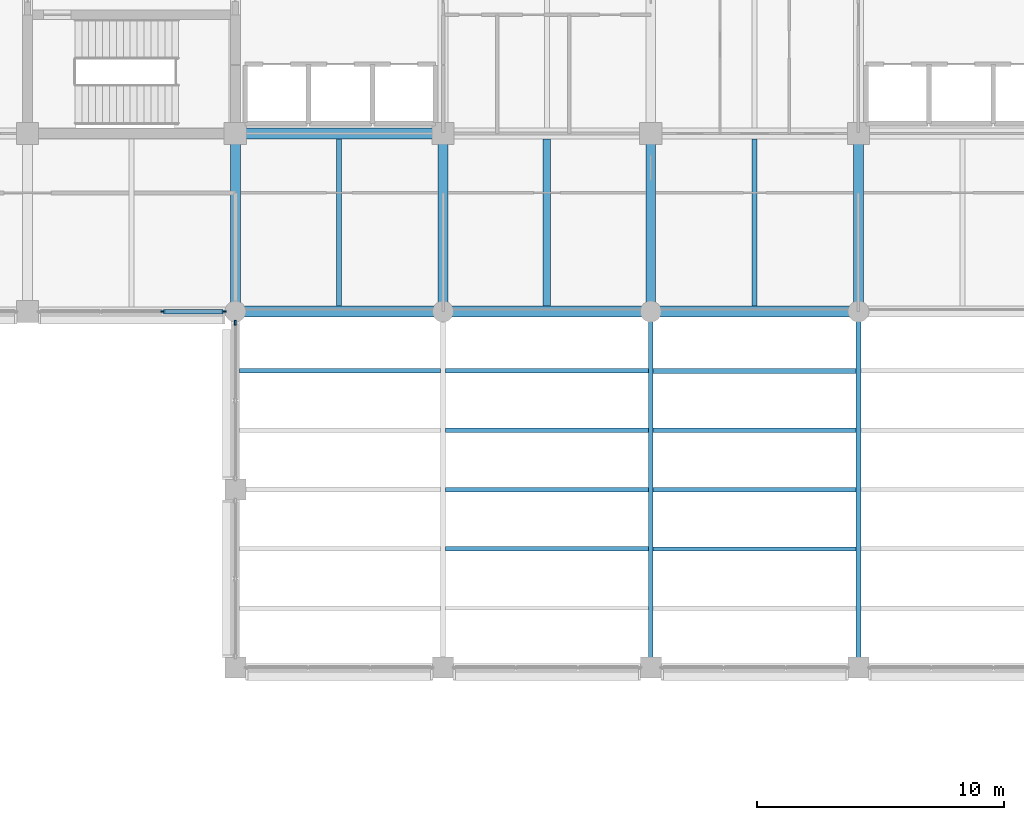
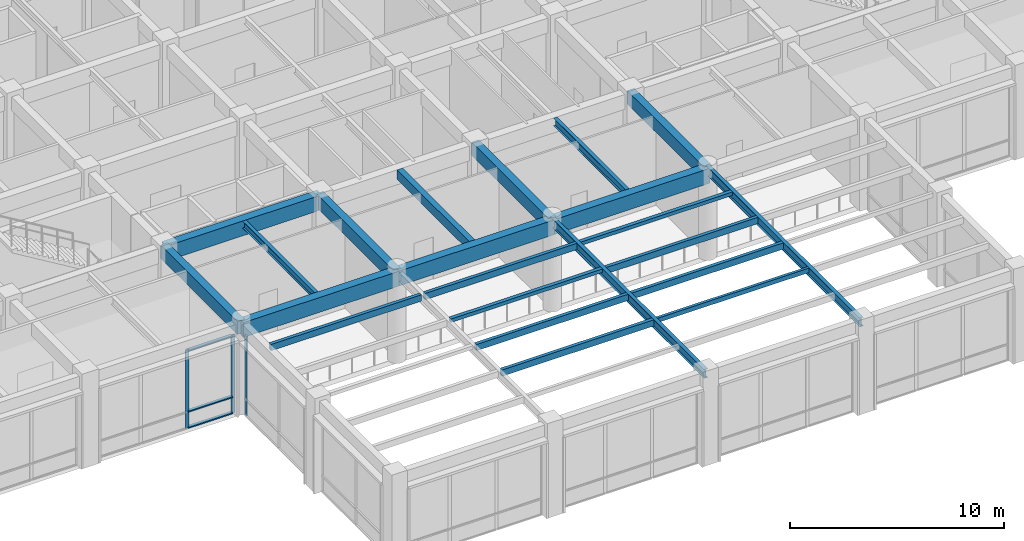
# One storey, part 10 of 58: 16 beams, 12 members, 2 elements without a shape of their own.
"""IFC4 building model written with IfcOpenShell, lengths in metres."""

from ifc_helpers import new_model, si_unit, direction, frame, origin, origin_2d, place, context, subcontext, project, spatial, rectangle, hollow_rectangle, i_section, extrude, material, layer, layer_set, material_profile, profile_set, type_object, element, aggregate, save


model = new_model("IFC4")

# Units and contexts
model_context = context("Model", 3, precision=1e-05, world=origin(), true_north=direction((0.0, 1.0)))
body_context = subcontext(model_context, "Body", "Model", "MODEL_VIEW")
ifc_project = project(units=[si_unit("LENGTHUNIT", "METRE"), si_unit("AREAUNIT", "SQUARE_METRE"), si_unit("VOLUMEUNIT", "CUBIC_METRE"), si_unit("PLANEANGLEUNIT", "RADIAN"), si_unit("MASSUNIT", "GRAM", prefix="KILO")], contexts=[model_context])

# Site, building, storey
site_placement = place(None, origin())
site = spatial("IfcSite", under=ifc_project, at=site_placement, CompositionType="ELEMENT")
building_placement = place(site_placement, origin())
building = spatial("IfcBuilding", under=site, at=building_placement, Name="Chengyuan Square Courthouse", CompositionType="ELEMENT")
storey_placement = place(building_placement, frame((0.0, 0.0, 16.199951171875)))
storey = spatial("IfcBuildingStorey", under=building, at=storey_placement, Name="L04", CompositionType="ELEMENT", Elevation=16.199951171875)

# Beams
ifc_material_1 = material(Name="Concrete C40", Category="concrete")
ifc_material_profile_1 = material_profile(ifc_material_1, rectangle(XDim=0.449951171875, YDim=0.85009765625, at=origin_2d()), Name="RC-BM-450x850")
ifc_profile_set_1 = profile_set([ifc_material_profile_1], Name="Concrete C40")
beam_type_1 = type_object("IfcBeamType", Name="BM-01", PredefinedType="USERDEFINED", material=ifc_profile_set_1)
beam_1_placement = place(storey_placement, frame((67.199951171875, 79.199951171875, 4.695068359375), z_axis=(1.0, 0.0, 0.0), x_axis=(0.0, 1.0, 0.0)))
element("IfcBeam", 1, at=beam_1_placement, inside=storey, type_object=beam_type_1, Name="Girder BM-L04-2869", ObjectType="GIRDER", PredefinedType="USERDEFINED", context=body_context, shape_type="SweptSolid", body=[
    extrude(rectangle(XDim=0.449951171875, YDim=0.85009765625, at=origin_2d()), origin(), (0.0, 0.0, 1.0), 8.400146484375),
])
for number, where, z_axis, x_axis, name in (
    (2, (75.60009765625, 79.199951171875, 4.695068359375), (1.0, 0.0, 0.0), (0.0, 1.0, 0.0), "Girder BM-L04-2870"),
    (3, (84.0, 79.199951171875, 4.695068359375), (1.0, 0.0, 0.0), (0.0, 1.0, 0.0), "Girder BM-L04-2871"),
):
    element("IfcBeam", number, at=place(storey_placement, frame(where, z_axis=z_axis, x_axis=x_axis)), inside=storey, type_object=beam_type_1, Name=name, ObjectType="GIRDER", PredefinedType="USERDEFINED", context=body_context, shape_type="SweptSolid", body=[
        extrude(rectangle(XDim=0.449951171875, YDim=0.85009765625, at=origin_2d()), origin(), (0.0, 0.0, 1.0), 8.39990234375),
    ])
beam_2_placement = place(storey_placement, frame((67.199951171875, 86.39990234375, 4.695068359375), z_axis=(1.0, 0.0, 0.0), x_axis=(0.0, 1.0, 0.0)))
element("IfcBeam", 4, at=beam_2_placement, inside=storey, type_object=beam_type_1, Name="Girder BM-L04-2889", ObjectType="GIRDER", PredefinedType="USERDEFINED", context=body_context, shape_type="SweptSolid", body=[
    extrude(rectangle(XDim=0.449951171875, YDim=0.85009765625, at=origin_2d()), origin(), (0.0, 0.0, 1.0), 8.400146484375),
])
ifc_material_profile_2 = material_profile(ifc_material_1, rectangle(XDim=0.39990234375, YDim=0.75, at=origin_2d()), Name="RC-BM-400x750")
ifc_profile_set_2 = profile_set([ifc_material_profile_2], Name="Concrete C40")
beam_type_2 = type_object("IfcBeamType", Name="BM-02", PredefinedType="USERDEFINED", material=ifc_profile_set_2)
for number, where, z_axis, x_axis, name in (
    (5, (67.199951171875, 79.199951171875, 4.7451171875), (0.0, 1.0, 0.0), (-1.0, 0.0, 0.0), "Girder BM-L04-3017"),
    (6, (75.60009765625, 79.199951171875, 4.7451171875), (0.0, 1.0, 0.0), (-1.0, 0.0, 0.0), "Girder BM-L04-3023"),
    (7, (84.0, 79.199951171875, 4.7451171875), (0.0, 1.0, 0.0), (-1.0, 0.0, 0.0), "Girder BM-L04-3029"),
    (8, (92.39990234375, 79.199951171875, 4.7451171875), (0.0, 1.0, 0.0), (-1.0, 0.0, 0.0), "Girder BM-L04-3035"),
):
    element("IfcBeam", number, at=place(storey_placement, frame(where, z_axis=z_axis, x_axis=x_axis)), inside=storey, type_object=beam_type_2, Name=name, ObjectType="GIRDER", PredefinedType="USERDEFINED", context=body_context, shape_type="SweptSolid", body=[
        extrude(rectangle(XDim=0.39990234375, YDim=0.75, at=origin_2d()), origin(), (0.0, 0.0, 1.0), 7.199951171875),
    ])
ifc_material_profile_3 = material_profile(ifc_material_1, rectangle(XDim=0.300048828125, YDim=0.550048828125, at=origin_2d()), Name="RC-BM-300x550")
ifc_profile_set_3 = profile_set([ifc_material_profile_3], Name="Concrete C40")
beam_type_3 = type_object("IfcBeamType", Name="BM-04", PredefinedType="BEAM", material=ifc_profile_set_3)
beam_3_placement = place(storey_placement, frame((79.800048828125, 79.425048828125, 4.844970703125), z_axis=(0.0, 1.0, 0.0), x_axis=(-1.0, 0.0, 0.0)))
element("IfcBeam", 9, at=beam_3_placement, inside=storey, type_object=beam_type_3, Name="Secondary Floor Beam SBM-L04-3140", PredefinedType="BEAM", context=body_context, shape_type="SweptSolid", body=[
    extrude(rectangle(XDim=0.300048828125, YDim=0.550048828125, at=origin_2d()), origin(), (0.0, 0.0, 1.0), 6.75),
])
ifc_material_2 = material(Name="Steel Q355B", Category="steel")
ifc_material_profile_4 = material_profile(ifc_material_2, i_section(OverallWidth=0.199951171875, OverallDepth=0.449951171875, WebThickness=0.009033203125, FlangeThickness=0.013916015625, at=origin_2d()), Name="HN 450x200x9x14")
ifc_profile_set_4 = profile_set([ifc_material_profile_4], Name="Steel Q355B")
beam_type_4 = type_object("IfcBeamType", Name="BM-06", PredefinedType="BEAM", material=ifc_profile_set_4)
beam_4_placement = place(storey_placement, frame((88.199951171875, 79.425048828125, 4.89501953125), z_axis=(0.0, 1.0, 0.0), x_axis=(-1.0, 0.0, 0.0)))
element("IfcBeam", 10, at=beam_4_placement, inside=storey, type_object=beam_type_4, Name="Secondary Floor Beam SBM-L04-3144", PredefinedType="BEAM", context=body_context, shape_type="SweptSolid", body=[
    extrude(i_section(OverallWidth=0.199951171875, OverallDepth=0.449951171875, WebThickness=0.009033203125, FlangeThickness=0.013916015625, at=origin_2d()), origin(), (0.0, 0.0, 1.0), 6.75),
])
ifc_material_profile_5 = material_profile(ifc_material_2, i_section(OverallWidth=0.199951171875, OverallDepth=0.39990234375, WebThickness=0.008056640625, FlangeThickness=0.012939453125, at=origin_2d()), Name="HN 400x200x8x13")
ifc_profile_set_5 = profile_set([ifc_material_profile_5], Name="Steel Q355B")
beam_type_5 = type_object("IfcBeamType", Name="BM-07", PredefinedType="BEAM", material=ifc_profile_set_5)
beam_5_placement = place(storey_placement, frame((71.39990234375, 79.425048828125, 4.920166015625), z_axis=(0.0, 1.0, 0.0), x_axis=(-1.0, 0.0, 0.0)))
element("IfcBeam", 11, at=beam_5_placement, inside=storey, type_object=beam_type_5, Name="Secondary Floor Beam SBM-L04-3136", PredefinedType="BEAM", context=body_context, shape_type="SweptSolid", body=[
    extrude(i_section(OverallWidth=0.199951171875, OverallDepth=0.39990234375, WebThickness=0.008056640625, FlangeThickness=0.012939453125, at=origin_2d()), origin(), (0.0, 0.0, 1.0), 6.75),
])
ifc_material_profile_6 = material_profile(ifc_material_2, hollow_rectangle(XDim=0.14990234375, YDim=0.25, WallThickness=0.010009765625, at=origin_2d()), Name="RHS 250x150x10")
ifc_profile_set_6 = profile_set([ifc_material_profile_6], Name="Steel Q355B")
beam_type_6 = type_object("IfcBeamType", Name="BM-10", PredefinedType="BEAM", material=ifc_profile_set_6)
beam_6_placement = place(storey_placement, frame((84.10009765625, 69.60009765625, 5.054931640625), z_axis=(1.0, 0.0, 0.0), x_axis=(0.0, 1.0, 0.0)))
element("IfcBeam", 12, at=beam_6_placement, inside=storey, type_object=beam_type_6, Name="Skylight Framing Beam SKB-L04-12", PredefinedType="BEAM", context=body_context, shape_type="SweptSolid", body=[
    extrude(hollow_rectangle(XDim=0.14990234375, YDim=0.25, WallThickness=0.010009765625, at=origin_2d()), origin(), (0.0, 0.0, 1.0), 8.199951171875),
])
ifc_material_profile_7 = material_profile(ifc_material_2, hollow_rectangle(XDim=0.199951171875, YDim=0.199951171875, WallThickness=0.008056640625, at=origin_2d()), Name="SHS 200x200x8")
ifc_profile_set_7 = profile_set([ifc_material_profile_7], Name="Steel Q355B")
beam_type_7 = type_object("IfcBeamType", Name="BM-11", PredefinedType="BEAM", material=ifc_profile_set_7)
for number, where, z_axis, x_axis, name in (
    (13, (75.699951171875, 74.39990234375, 5.080078125), (1.0, 0.0, 0.0), (0.0, 1.0, 0.0), "Skylight Framing Beam SKB-L04-09"),
    (14, (84.10009765625, 76.800048828125, 5.080078125), (1.0, 0.0, 0.0), (0.0, 1.0, 0.0), "Skylight Framing Beam SKB-L04-15"),
):
    element("IfcBeam", number, at=place(storey_placement, frame(where, z_axis=z_axis, x_axis=x_axis)), inside=storey, type_object=beam_type_7, Name=name, PredefinedType="BEAM", context=body_context, shape_type="SweptSolid", body=[
        extrude(hollow_rectangle(XDim=0.199951171875, YDim=0.199951171875, WallThickness=0.008056640625, at=origin_2d()), origin(), (0.0, 0.0, 1.0), 8.199951171875),
    ])

# Curtain wall, members
ifc_material_3 = material(Name="Unitised Aluminium and Triple Low-E Glass", Category="aluminium")
ifc_layer_1 = layer(ifc_material_3, 0.179931640625)
ifc_layer_set_1 = layer_set([ifc_layer_1], Name="Unitised Aluminium and Triple Low-E Glass")
curtain_wall_type_1 = type_object("IfcCurtainWallType", Name="CW-10", PredefinedType="USERDEFINED", material=ifc_layer_set_1)
curtain_wall_1_placement = place(storey_placement, origin())
curtain_wall_1 = element("IfcCurtainWall", 15, at=curtain_wall_1_placement, inside=storey, type_object=curtain_wall_type_1, Name="Unitised Curtain Wall CW-L04-139", ObjectType="UNITISED CURTAIN WALL", PredefinedType="USERDEFINED")
ifc_material_4 = material(Name="Aluminium 6063-T6 Frame", Category="aluminium")
ifc_material_profile_8 = material_profile(ifc_material_4, rectangle(XDim=0.06494140625, YDim=0.179931640625, at=origin_2d()), Name="CW-MUL-65x180")
ifc_profile_set_8 = profile_set([ifc_material_profile_8], Name="Aluminium 6063-T6 Frame")
member_type_1 = type_object("IfcMemberType", Name="CWM-02", PredefinedType="MULLION", material=ifc_profile_set_8)
member_1_placement = place(storey_placement, frame((64.2666015625, 79.199951171875, 0.0), z_axis=(0.0, 0.0, 1.0), x_axis=(0.0, 1.0, 0.0)))
member_1 = element("IfcMember", 16, at=member_1_placement, type_object=member_type_1, Name="CW-10 mullion 3", PredefinedType="MULLION", context=body_context, shape_type="SweptSolid", body=[
    extrude(rectangle(XDim=0.06494140625, YDim=0.179931640625, at=origin_2d()), origin(), (0.0, 0.0, 1.0), 4.469970703125),
])
member_2_placement = place(storey_placement, frame((66.742431640625, 79.199951171875, 0.0), z_axis=(0.0, 0.0, 1.0), x_axis=(0.0, 1.0, 0.0)))
member_2 = element("IfcMember", 17, at=member_2_placement, type_object=member_type_1, Name="CW-10 mullion 4", PredefinedType="MULLION", context=body_context, shape_type="SweptSolid", body=[
    extrude(rectangle(XDim=0.06494140625, YDim=0.179931640625, at=origin_2d()), origin(), (0.0, 0.0, 1.0), 4.469970703125),
])

# Curtain wall, member
ifc_layer_2 = layer(ifc_material_3, 0.199951171875)
ifc_layer_set_2 = layer_set([ifc_layer_2], Name="Unitised Aluminium and Triple Low-E Glass")
curtain_wall_type_2 = type_object("IfcCurtainWallType", Name="CW-23", PredefinedType="USERDEFINED", material=ifc_layer_set_2)
curtain_wall_2_placement = place(storey_placement, origin())
curtain_wall_2 = element("IfcCurtainWall", 18, at=curtain_wall_2_placement, inside=storey, type_object=curtain_wall_type_2, Name="Unitised Curtain Wall CW-L04-142", ObjectType="UNITISED CURTAIN WALL", PredefinedType="USERDEFINED")
ifc_material_profile_9 = material_profile(ifc_material_4, rectangle(XDim=0.070068359375, YDim=0.199951171875, at=origin_2d()), Name="CW-MUL-70x200")
ifc_profile_set_9 = profile_set([ifc_material_profile_9], Name="Aluminium 6063-T6 Frame")
member_type_2 = type_object("IfcMemberType", Name="CWM-03", PredefinedType="MULLION", material=ifc_profile_set_9)
member_3_placement = place(storey_placement, frame((67.199951171875, 78.739990234375, 0.0), z_axis=(0.0, 0.0, 1.0), x_axis=(-1.0, 0.0, 0.0)))
member_3 = element("IfcMember", 19, at=member_3_placement, type_object=member_type_2, Name="CW-23 mullion 3", PredefinedType="MULLION", context=body_context, shape_type="SweptSolid", body=[
    extrude(rectangle(XDim=0.070068359375, YDim=0.199951171875, at=origin_2d()), origin(), (0.0, 0.0, 1.0), 4.530029296875),
])
aggregate(curtain_wall_2, [member_3])

# Member
ifc_material_profile_10 = material_profile(ifc_material_4, rectangle(XDim=0.179931640625, YDim=0.06494140625, at=origin_2d()), Name="CW-TRN-65x140")
ifc_profile_set_10 = profile_set([ifc_material_profile_10], Name="Aluminium 6063-T6 Frame")
member_type_3 = type_object("IfcMemberType", Name="CWT-02", PredefinedType="USERDEFINED", material=ifc_profile_set_10)
member_4_placement = place(storey_placement, frame((64.299072265625, 79.199951171875, 0.032470703125), z_axis=(1.0, 0.0, 0.0), x_axis=(0.0, 1.0, 0.0)))
member_4 = element("IfcMember", 20, at=member_4_placement, type_object=member_type_3, Name="CW-10 transom 3.1", ObjectType="TRANSOM", PredefinedType="USERDEFINED", context=body_context, shape_type="SweptSolid", body=[
    extrude(rectangle(XDim=0.179931640625, YDim=0.06494140625, at=origin_2d()), origin(), (0.0, 0.0, 1.0), 2.410888671875),
])

member_5_placement = place(storey_placement, frame((64.299072265625, 79.199951171875, 0.949951171875), z_axis=(1.0, 0.0, 0.0), x_axis=(0.0, 1.0, 0.0)))
member_5 = element("IfcMember", 21, at=member_5_placement, type_object=member_type_3, Name="CW-10 transom 3.2", ObjectType="TRANSOM", PredefinedType="USERDEFINED", context=body_context, shape_type="SweptSolid", body=[
    extrude(rectangle(XDim=0.179931640625, YDim=0.06494140625, at=origin_2d()), origin(), (0.0, 0.0, 1.0), 2.410888671875),
])

member_6_placement = place(storey_placement, frame((64.299072265625, 79.199951171875, 4.4375), z_axis=(1.0, 0.0, 0.0), x_axis=(0.0, 1.0, 0.0)))
member_6 = element("IfcMember", 22, at=member_6_placement, type_object=member_type_3, Name="CW-10 transom 3.3", ObjectType="TRANSOM", PredefinedType="USERDEFINED", context=body_context, shape_type="SweptSolid", body=[
    extrude(rectangle(XDim=0.179931640625, YDim=0.06494140625, at=origin_2d()), origin(), (0.0, 0.0, 1.0), 2.410888671875),
])

aggregate(curtain_wall_1, [member_1, member_2, member_4, member_5, member_6])

# Members
ifc_material_5 = material(Name="Glulam TCt28", Category="wood")
ifc_material_profile_11 = material_profile(ifc_material_5, rectangle(XDim=0.179931640625, YDim=0.360107421875, at=origin_2d()), Name="GL-PRL-180x360")
ifc_profile_set_11 = profile_set([ifc_material_profile_11], Name="Glulam TCt28")
member_type_4 = type_object("IfcMemberType", Name="PRL-01", PredefinedType="PURLIN", material=ifc_profile_set_11)
member_7_placement = place(storey_placement, frame((67.375, 76.800048828125, 5.0), z_axis=(1.0, 0.0, 0.0), x_axis=(0.0, 1.0, 0.0)))
element("IfcMember", 23, at=member_7_placement, inside=storey, type_object=member_type_4, Name="Glulam Skylight Acoustic Purlin PRL-SKY-05", PredefinedType="PURLIN", context=body_context, shape_type="SweptSolid", body=[
    extrude(rectangle(XDim=0.179931640625, YDim=0.360107421875, at=origin_2d()), origin(), (0.0, 0.0, 1.0), 8.125),
])
for number, where, z_axis, x_axis, name in (
    (24, (75.699951171875, 69.60009765625, 5.0), (1.0, 0.0, 0.0), (0.0, 1.0, 0.0), "Glulam Skylight Acoustic Purlin PRL-SKY-07"),
    (25, (75.699951171875, 72.0, 5.0), (1.0, 0.0, 0.0), (0.0, 1.0, 0.0), "Glulam Skylight Acoustic Purlin PRL-SKY-08"),
    (26, (75.699951171875, 76.800048828125, 5.0), (1.0, 0.0, 0.0), (0.0, 1.0, 0.0), "Glulam Skylight Acoustic Purlin PRL-SKY-10"),
    (27, (84.10009765625, 72.0, 5.0), (1.0, 0.0, 0.0), (0.0, 1.0, 0.0), "Glulam Skylight Acoustic Purlin PRL-SKY-13"),
    (28, (84.10009765625, 74.39990234375, 5.0), (1.0, 0.0, 0.0), (0.0, 1.0, 0.0), "Glulam Skylight Acoustic Purlin PRL-SKY-14"),
):
    element("IfcMember", number, at=place(storey_placement, frame(where, z_axis=z_axis, x_axis=x_axis)), inside=storey, type_object=member_type_4, Name=name, PredefinedType="PURLIN", context=body_context, shape_type="SweptSolid", body=[
        extrude(rectangle(XDim=0.179931640625, YDim=0.360107421875, at=origin_2d()), origin(), (0.0, 0.0, 1.0), 8.199951171875),
    ])

# Beams
ifc_material_profile_12 = material_profile(ifc_material_2, i_section(OverallWidth=0.199951171875, OverallDepth=0.5, WebThickness=0.010009765625, FlangeThickness=0.01611328125, at=origin_2d()), Name="HN 500x200x10x16")
ifc_profile_set_12 = profile_set([ifc_material_profile_12], Name="Steel Q355B")
beam_type_8 = type_object("IfcBeamType", Name="STG-01", PredefinedType="USERDEFINED", material=ifc_profile_set_12)
for number, where, z_axis, x_axis, name in (
    (29, (84.0, 64.800048828125, 4.929931640625), (0.0, 1.0, 0.0), (-1.0, 0.0, 0.0), "Girder BM-L04-3028"),
    (30, (92.39990234375, 64.800048828125, 4.929931640625), (0.0, 1.0, 0.0), (-1.0, 0.0, 0.0), "Girder BM-L04-3034"),
):
    element("IfcBeam", number, at=place(storey_placement, frame(where, z_axis=z_axis, x_axis=x_axis)), inside=storey, type_object=beam_type_8, Name=name, ObjectType="GIRDER", PredefinedType="USERDEFINED", context=body_context, shape_type="SweptSolid", body=[
        extrude(i_section(OverallWidth=0.199951171875, OverallDepth=0.5, WebThickness=0.010009765625, FlangeThickness=0.01611328125, at=origin_2d()), origin(), (0.0, 0.0, 1.0), 14.39990234375),
    ])

save(model, "model.ifc")
